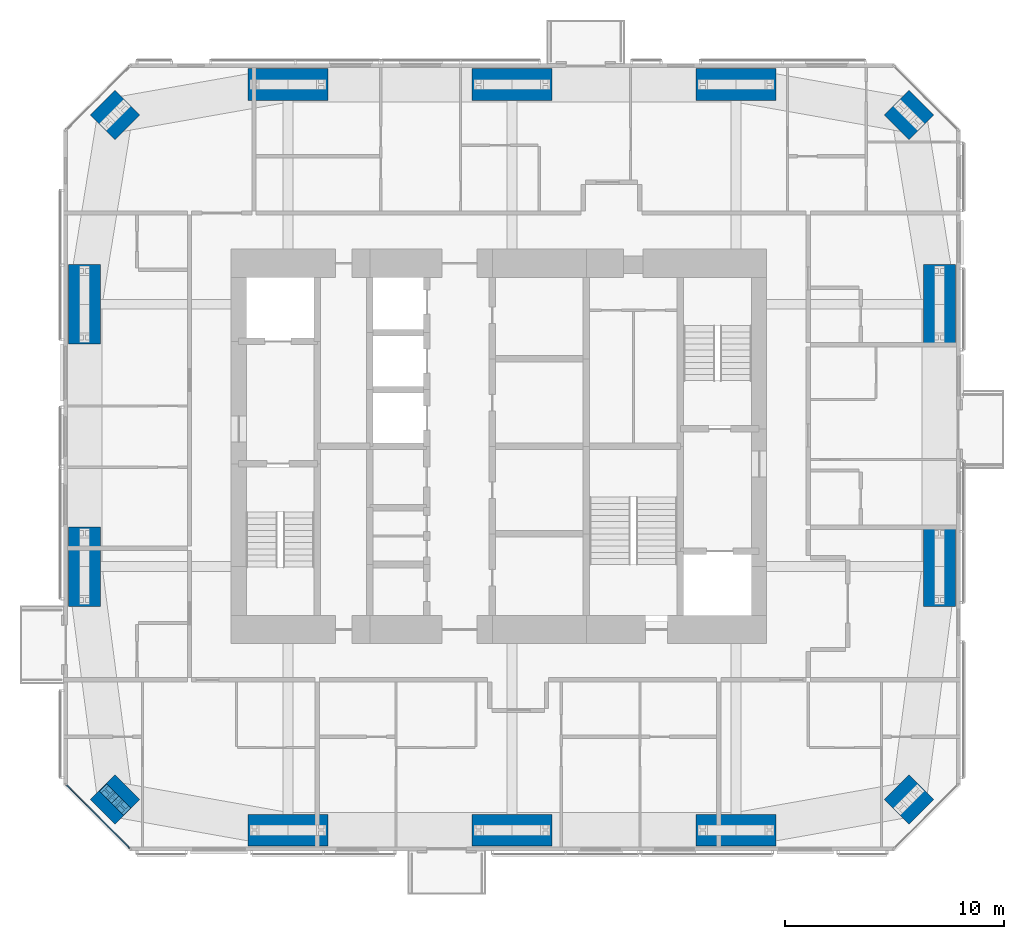
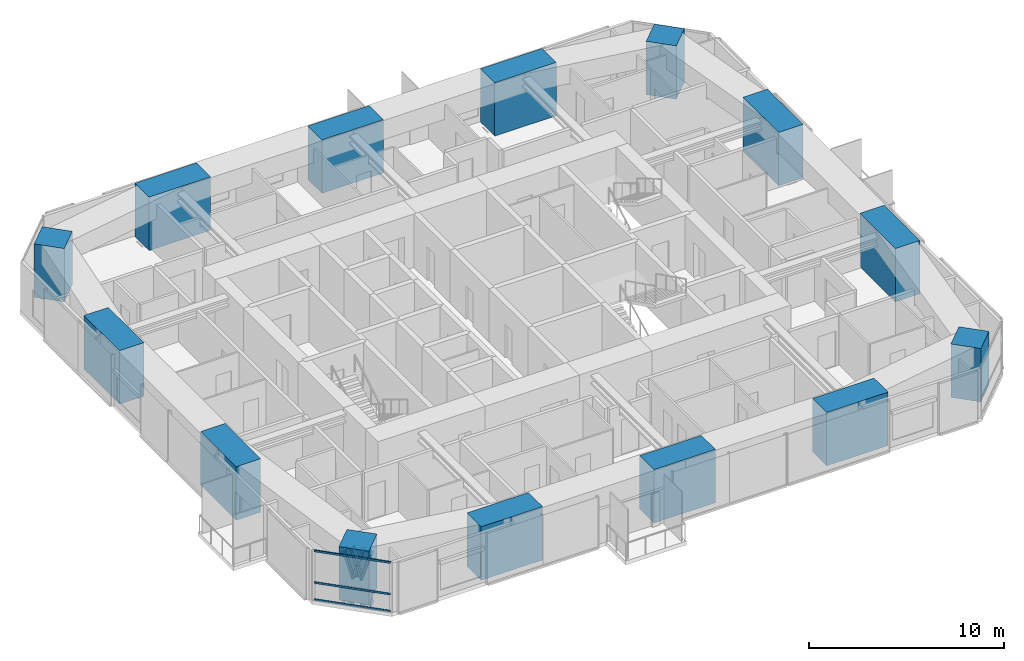
# One storey, part 1 of 23: 14 columns, 7 members, 1 element without a shape of its own.
"""IFC4 building model written with IfcOpenShell, lengths in metres."""

from ifc_helpers import new_model, si_unit, direction, frame, origin, origin_2d, place, context, subcontext, project, spatial, rectangle, i_section, extrude, material, material_profile, profile_set, type_object, element, aggregate, save


model = new_model("IFC4")

# Units and contexts
model_context = context("Model", 3, precision=1e-05, world=origin(), true_north=direction((0.0, 1.0)))
body_context = subcontext(model_context, "Body", "Model", "MODEL_VIEW")
ifc_project = project(units=[si_unit("LENGTHUNIT", "METRE"), si_unit("AREAUNIT", "SQUARE_METRE"), si_unit("VOLUMEUNIT", "CUBIC_METRE"), si_unit("PLANEANGLEUNIT", "RADIAN"), si_unit("MASSUNIT", "GRAM", prefix="KILO")], contexts=[model_context])

# Site, building, storey
site_placement = place(None, origin())
site = spatial("IfcSite", under=ifc_project, at=site_placement, CompositionType="ELEMENT")
building_placement = place(site_placement, origin())
building = spatial("IfcBuilding", under=site, at=building_placement, Name="Jalousie Tower", CompositionType="ELEMENT")
storey_placement = place(building_placement, frame((0.0, 0.0, 181.14990234375)))
storey = spatial("IfcBuildingStorey", under=building, at=storey_placement, Name="L49", CompositionType="ELEMENT", Elevation=181.14990234375)

# Columns
ifc_material_1 = material(Name="Concrete f'c 120 MPa", Category="concrete")
ifc_material_profile_1 = material_profile(ifc_material_1, rectangle(XDim=1.449951171875, YDim=3.64990234375, at=origin_2d()), Name="RC 1450x3650")
ifc_profile_set_1 = profile_set([ifc_material_profile_1], Name="Concrete f'c 120 MPa")
column_type_1 = type_object("IfcColumnType", Name="RC COLUMN 1450x3650", PredefinedType="COLUMN", material=ifc_profile_set_1)
for number, where, z_axis, x_axis, name in (
    (1, (22.25, 0.949951171875, 0.0), (0.0, 0.0, 1.0), (0.0, 1.0, 0.0), "Column 02 L49"),
    (2, (32.5, 0.949951171875, 0.0), (0.0, 0.0, 1.0), (0.0, 1.0, 0.0), "Column 03 L49"),
    (3, (42.75, 0.949951171875, 0.0), (0.0, 0.0, 1.0), (0.0, 1.0, 0.0), "Column 04 L49"),
    (4, (52.050048828125, 13.0, 0.0), (0.0, 0.0, 1.0), (1.0, 0.0, 0.0), "Column 06 L49"),
    (5, (52.050048828125, 25.0, 0.0), (0.0, 0.0, 1.0), (1.0, 0.0, 0.0), "Column 07 L49"),
    (6, (42.75, 35.050048828125, 0.0), (0.0, 0.0, 1.0), (0.0, 1.0, 0.0), "Column 09 L49"),
    (7, (32.5, 35.050048828125, 0.0), (0.0, 0.0, 1.0), (0.0, 1.0, 0.0), "Column 10 L49"),
    (8, (22.25, 35.050048828125, 0.0), (0.0, 0.0, 1.0), (0.0, 1.0, 0.0), "Column 11 L49"),
    (9, (12.949951171875, 25.0, 0.0), (0.0, 0.0, 1.0), (1.0, 0.0, 0.0), "Column 13 L49"),
    (10, (12.949951171875, 13.0, 0.0), (0.0, 0.0, 1.0), (1.0, 0.0, 0.0), "Column 14 L49"),
):
    element("IfcColumn", number, at=place(storey_placement, frame(where, z_axis=z_axis, x_axis=x_axis)), inside=storey, type_object=column_type_1, Name=name, PredefinedType="COLUMN", context=body_context, shape_type="SweptSolid", body=[
        extrude(rectangle(XDim=1.449951171875, YDim=3.64990234375, at=origin_2d()), origin(), (0.0, 0.0, 1.0), 3.35009765625),
    ])
ifc_material_2 = material(Name="Concrete f'c 120 MPa", Category="concrete")
ifc_material_profile_2 = material_profile(ifc_material_2, rectangle(XDim=1.60009765625, YDim=1.60009765625, at=origin_2d()), Name="RC 1600x1600")
ifc_profile_set_2 = profile_set([ifc_material_profile_2], Name="Concrete f'c 120 MPa")
column_type_2 = type_object("IfcColumnType", Name="RC COLUMN 1600x1600", PredefinedType="COLUMN", material=ifc_profile_set_2)
for number, where, z_axis, x_axis, name in (
    (11, (14.348388671875, 2.348388671875, 0.0), (0.0, 0.0, 1.0), (0.707106781187, 0.707106781187, 0.0), "Column 01 L49"),
    (12, (50.651611328125, 2.348388671875, 0.0), (0.0, 0.0, 1.0), (0.707106781187, 0.707106781187, 0.0), "Column 05 L49"),
    (13, (50.651611328125, 33.651611328125, 0.0), (0.0, 0.0, 1.0), (0.707106781187, 0.707106781187, 0.0), "Column 08 L49"),
    (14, (14.348388671875, 33.651611328125, 0.0), (0.0, 0.0, 1.0), (0.707106781187, 0.707106781187, 0.0), "Column 12 L49"),
):
    element("IfcColumn", number, at=place(storey_placement, frame(where, z_axis=z_axis, x_axis=x_axis)), inside=storey, type_object=column_type_2, Name=name, PredefinedType="COLUMN", context=body_context, shape_type="SweptSolid", body=[
        extrude(rectangle(XDim=1.60009765625, YDim=1.60009765625, at=origin_2d()), origin(), (0.0, 0.0, 1.0), 3.35009765625),
    ])

# Curtain wall, members
ifc_material_3 = material(Name="Aluminium curtain wall", Category="aluminium")
curtain_wall_type = type_object("IfcCurtainWallType", Name="CORNER WINDOW WALL", PredefinedType="USERDEFINED", material=ifc_material_3)
curtain_wall_placement = place(storey_placement, origin())
curtain_wall = element("IfcCurtainWall", 15, at=curtain_wall_placement, inside=storey, type_object=curtain_wall_type, Name="Corner Window Wall L49 8", ObjectType="CORNER WINDOW WALL", PredefinedType="USERDEFINED")
ifc_material_4 = material(Name="Aluminium transom", Category="aluminium")
ifc_material_profile_3 = material_profile(ifc_material_4, rectangle(XDim=0.06005859375, YDim=0.1201171875, at=origin_2d()), Name="TRANSOM 60x120")
ifc_profile_set_3 = profile_set([ifc_material_profile_3], Name="Aluminium transom")
member_type_1 = type_object("IfcMemberType", Name="CORNER WINDOW WALL TRANSOM", PredefinedType="USERDEFINED", material=ifc_profile_set_3)
member_1_placement = place(storey_placement, frame((12.1298828125, 3.0087890625, 0.030029296875), z_axis=(0.707106781187, -0.707106781187, 0.0), x_axis=(0.707106781187, 0.707106781187, 0.0)))
member_1 = element("IfcMember", 16, at=member_1_placement, type_object=member_type_1, Name="CW-C transom 1.1", ObjectType="TRANSOM", PredefinedType="USERDEFINED", context=body_context, shape_type="SweptSolid", body=[
    extrude(rectangle(XDim=0.06005859375, YDim=0.1201171875, at=origin_2d()), origin(), (0.0, 0.0, 1.0), 4.0712890625),
])
member_2_placement = place(storey_placement, frame((12.1298828125, 3.0087890625, 1.10009765625), z_axis=(0.707106781187, -0.707106781187, 0.0), x_axis=(0.707106781187, 0.707106781187, 0.0)))
member_2 = element("IfcMember", 17, at=member_2_placement, type_object=member_type_1, Name="CW-C transom 1.2", ObjectType="TRANSOM", PredefinedType="USERDEFINED", context=body_context, shape_type="SweptSolid", body=[
    extrude(rectangle(XDim=0.06005859375, YDim=0.1201171875, at=origin_2d()), origin(), (0.0, 0.0, 1.0), 4.0712890625),
])
member_3_placement = place(storey_placement, frame((12.1298828125, 3.0087890625, 3.080078125), z_axis=(0.707106781187, -0.707106781187, 0.0), x_axis=(0.707106781187, 0.707106781187, 0.0)))
member_3 = element("IfcMember", 18, at=member_3_placement, type_object=member_type_1, Name="CW-C transom 1.3", ObjectType="TRANSOM", PredefinedType="USERDEFINED", context=body_context, shape_type="SweptSolid", body=[
    extrude(rectangle(XDim=0.06005859375, YDim=0.1201171875, at=origin_2d()), origin(), (0.0, 0.0, 1.0), 4.0712890625),
])
aggregate(curtain_wall, [member_1, member_2, member_3])

# Members
ifc_material_5 = material(Name="Steel ASTM A992 Grade 50", Category="steel")
ifc_material_profile_4 = material_profile(ifc_material_5, i_section(OverallWidth=0.472412109375, OverallDepth=0.5791015625, WebThickness=0.094970703125, FlangeThickness=0.1298828125, at=origin_2d()), Name="W14X808")
ifc_profile_set_4 = profile_set([ifc_material_profile_4], Name="Steel ASTM A992 Grade 50")
member_type_2 = type_object("IfcMemberType", Name="PERIMETER BRACE W14X808", PredefinedType="BRACE", material=ifc_profile_set_4)
member_4_placement = place(storey_placement, frame((13.9951171875, 2.7021484375, -0.599853515625), z_axis=(0.202092742837, -0.202372069365, 0.958229653493), x_axis=(0.707594945859, 0.706618279267, 0.0)))
element("IfcMember", 19, at=member_4_placement, inside=storey, type_object=member_type_2, Name="Perimeter brace 01 L49 part 1", PredefinedType="BRACE", context=body_context, shape_type="SweptSolid", body=[
    extrude(i_section(OverallWidth=0.472412109375, OverallDepth=0.5791015625, WebThickness=0.094970703125, FlangeThickness=0.1298828125, at=origin_2d()), origin(), (0.0, 0.0, 1.0), 1.748046875),
])
member_5_placement = place(storey_placement, frame((14.348388671875, 2.348388671875, 1.0751953125), z_axis=(0.202399156177, -0.202119792263, 0.958218227313), x_axis=(0.706618279267, 0.707594945859, 0.0)))
element("IfcMember", 20, at=member_5_placement, inside=storey, type_object=member_type_2, Name="Perimeter brace 01 L49 part 2", PredefinedType="BRACE", context=body_context, shape_type="SweptSolid", body=[
    extrude(i_section(OverallWidth=0.472412109375, OverallDepth=0.5791015625, WebThickness=0.094970703125, FlangeThickness=0.1298828125, at=origin_2d()), origin(), (0.0, 0.0, 1.0), 1.747802734375),
])
member_6_placement = place(storey_placement, frame((14.7021484375, 1.9951171875, -0.599853515625), z_axis=(-0.202372069365, 0.202092742837, 0.958229653493), x_axis=(-0.706618279267, -0.707594945859, 0.0)))
element("IfcMember", 21, at=member_6_placement, inside=storey, type_object=member_type_2, Name="Perimeter brace 01 L49 part 3", PredefinedType="BRACE", context=body_context, shape_type="SweptSolid", body=[
    extrude(i_section(OverallWidth=0.472412109375, OverallDepth=0.5791015625, WebThickness=0.094970703125, FlangeThickness=0.1298828125, at=origin_2d()), origin(), (0.0, 0.0, 1.0), 1.748046875),
])
member_7_placement = place(storey_placement, frame((14.348388671875, 2.348388671875, 1.0751953125), z_axis=(-0.202119792263, 0.202399156177, 0.958218227313), x_axis=(-0.707594945859, -0.706618279267, 0.0)))
element("IfcMember", 22, at=member_7_placement, inside=storey, type_object=member_type_2, Name="Perimeter brace 01 L49 part 4", PredefinedType="BRACE", context=body_context, shape_type="SweptSolid", body=[
    extrude(i_section(OverallWidth=0.472412109375, OverallDepth=0.5791015625, WebThickness=0.094970703125, FlangeThickness=0.1298828125, at=origin_2d()), origin(), (0.0, 0.0, 1.0), 1.747802734375),
])

save(model, "model.ifc")
